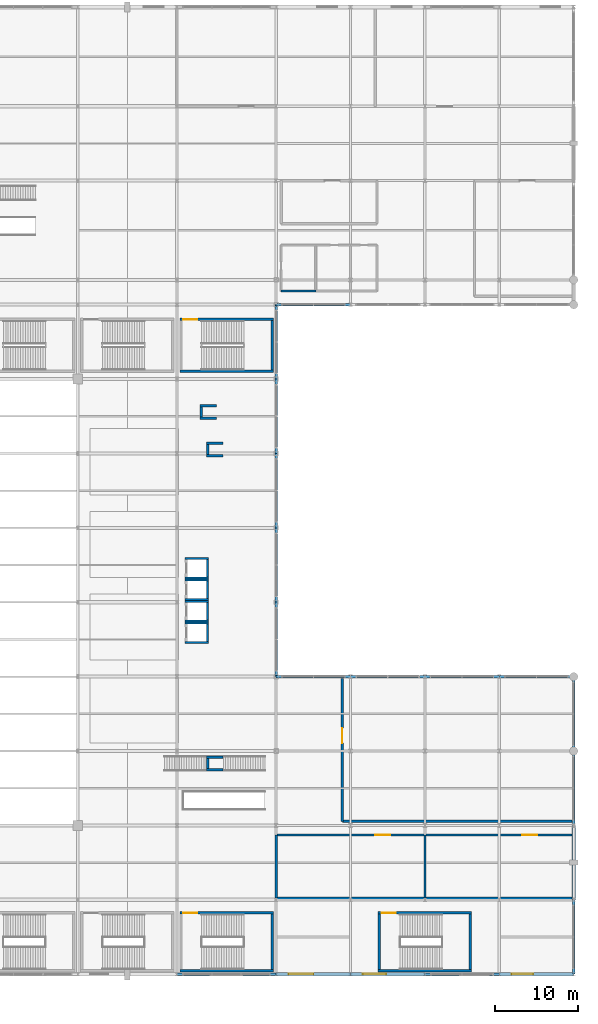
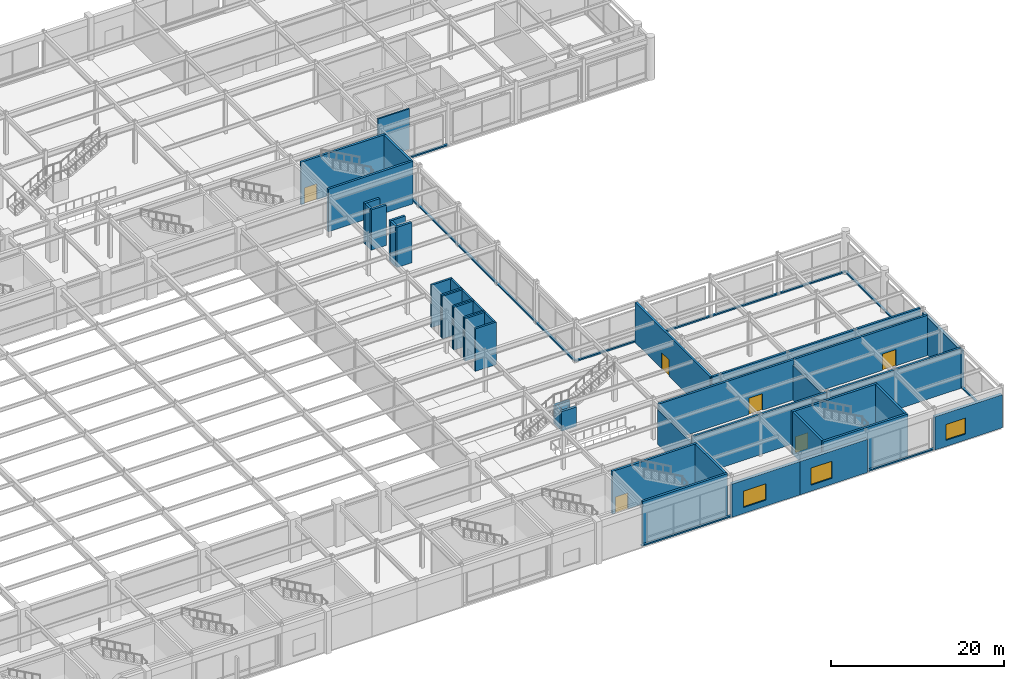
# One storey, part 90 of 105: 59 walls, 6 doors, 3 windows, 9 openings.
"""IFC4 building model written with IfcOpenShell, lengths in metres."""

import ifcopenshell
import ifcopenshell.guid

model = None  # the IFC model being written
_history = None  # IfcOwnerHistory: only IFC2X3 demands one
_inside = {}  # id of a spatial element -> (the spatial element, [elements in it])
_under = {}  # id of a project, library or spatial element -> (it, [spatial elements below it])
_declared = {}  # id of a project -> (the project, [libraries it declares])
_typed = {}  # id of a type object -> (the type object, [elements of that type])
_made_of = {}  # id of a material, layer set ... -> (it, [elements and type objects made of it])


def new_model(schema):
    """Start an empty IFC model of exactly this schema.

    Asked for "IFC4X3", IfcOpenShell would pick the latest addendum, in which some entities
    have other attributes; the version numbers below select the first issue.
    IFC2X3 requires an IfcOwnerHistory on every rooted entity: one is made here for all.
    """
    global model, _history
    if schema == "IFC4X3":
        model = ifcopenshell.file(schema_version=(4, 3, 0, 0))
    else:
        model = ifcopenshell.file(schema=schema)
    _inside.clear()
    _under.clear()
    _declared.clear()
    _typed.clear()
    _made_of.clear()
    _history = None
    if model.schema == "IFC2X3":
        org = make("IfcOrganization", Name="unknown")
        user = make(
            "IfcPersonAndOrganization",
            ThePerson=make("IfcPerson", FamilyName="unknown"),
            TheOrganization=org,
        )
        app = make(
            "IfcApplication",
            ApplicationDeveloper=org,
            Version="unknown",
            ApplicationFullName="unknown",
            ApplicationIdentifier="unknown",
        )
        _history = make(
            "IfcOwnerHistory",
            OwningUser=user,
            OwningApplication=app,
            ChangeAction="ADDED",
            CreationDate=0,
        )
    return model


def make(cls, **values):
    """One entity of the class cls with the attributes given. An attribute that is None is left unset."""
    return model.create_entity(
        cls, **{name: value for name, value in values.items() if value is not None}
    )


def rooted(cls, **values):
    """An entity with a GlobalId (a new one), such as an element, a storey or a relation."""
    return make(cls, GlobalId=ifcopenshell.guid.new(), OwnerHistory=_history, **values)


def si_unit(unit_type, name, prefix=None):
    """IfcSIUnit, for example si_unit("LENGTHUNIT", "METRE", prefix="MILLI")."""
    return make("IfcSIUnit", UnitType=unit_type, Prefix=prefix, Name=name)


def assignment(units):
    """IfcUnitAssignment: the units of a project."""
    return None if units is None else make("IfcUnitAssignment", Units=units)


def point(xyz):
    """IfcCartesianPoint."""
    return None if xyz is None else make("IfcCartesianPoint", Coordinates=xyz)


def direction(xyz):
    """IfcDirection."""
    return None if xyz is None else make("IfcDirection", DirectionRatios=xyz)


def frame(location, z_axis=None, x_axis=None):
    """IfcAxis2Placement3D, a coordinate frame: its origin and axes. An axis left out is left unset."""
    return make(
        "IfcAxis2Placement3D",
        Location=point(location),
        Axis=direction(z_axis),
        RefDirection=direction(x_axis),
    )


def frame_2d(location, x_axis=None):
    """IfcAxis2Placement2D, a coordinate frame in the plane: its origin and x axis."""
    return make(
        "IfcAxis2Placement2D", Location=point(location), RefDirection=direction(x_axis)
    )


def origin():
    """The frame at (0, 0, 0) with its axes left unset."""
    return frame((0.0, 0.0, 0.0))


def place(relative_to, where):
    """IfcLocalPlacement: puts the frame where relative to a parent placement (None: the world)."""
    return make(
        "IfcLocalPlacement", PlacementRelTo=relative_to, RelativePlacement=where
    )


def context(
    kind, dimensions, precision=None, world=None, true_north=None, identifier=None
):
    """IfcGeometricRepresentationContext, for example the 3D "Model" context."""
    return make(
        "IfcGeometricRepresentationContext",
        ContextIdentifier=identifier,
        ContextType=kind,
        CoordinateSpaceDimension=dimensions,
        Precision=precision,
        WorldCoordinateSystem=world,
        TrueNorth=true_north,
    )


def subcontext(parent, identifier, kind, view, scale=None):
    """IfcGeometricRepresentationSubContext, for example "Body" below "Model"."""
    return make(
        "IfcGeometricRepresentationSubContext",
        ContextIdentifier=identifier,
        ContextType=kind,
        ParentContext=parent,
        TargetScale=scale,
        TargetView=view,
    )


def project(units=None, contexts=None):
    """IfcProject with its units and contexts."""
    return rooted(
        "IfcProject",
        Name="project",
        RepresentationContexts=contexts,
        UnitsInContext=assignment(units),
    )


def spatial(cls, under=None, at=None, **own):
    """A site, building, storey or space (cls), placed at a placement, below another one or the project."""
    s = rooted(cls, ObjectPlacement=at, **own)
    if under is not None:
        _under.setdefault(under.id(), (under, []))[1].append(s)
    return s


def profile(cls, at=None, kind="AREA", **sizes):
    """A parametric profile (cls). Its sizes go by their IFC names, for example OverallWidth=200.0."""
    return make(cls, ProfileType=kind, Position=at, **sizes)


def rectangle(**sizes):
    """IfcRectangleProfileDef."""
    return profile("IfcRectangleProfileDef", **sizes)


def extrude(swept, where, along, depth):
    """IfcExtrudedAreaSolid: the profile swept, set in the frame where, extruded along a direction by depth."""
    return make(
        "IfcExtrudedAreaSolid",
        SweptArea=swept,
        Position=where,
        ExtrudedDirection=direction(along),
        Depth=depth,
    )


def shape(context_of_items, identifier, shape_type, items):
    """IfcShapeRepresentation: the items that make up one representation, for example the "Body"."""
    return make(
        "IfcShapeRepresentation",
        ContextOfItems=context_of_items,
        RepresentationIdentifier=identifier,
        RepresentationType=shape_type,
        Items=items,
    )


def material(Name=None, Category=None):
    """IfcMaterial."""
    return make("IfcMaterial", Name=Name, Category=Category)


def layer(
    of_material, thickness, ventilated=None, Name=None, Category=None, Priority=None
):
    """IfcMaterialLayer: one layer of a wall or slab, of a material (None: an air gap)."""
    return make(
        "IfcMaterialLayer",
        Material=of_material,
        LayerThickness=thickness,
        IsVentilated=ventilated,
        Name=Name,
        Category=Category,
        Priority=Priority,
    )


def layer_set(layers, Name=None):
    """IfcMaterialLayerSet."""
    return make("IfcMaterialLayerSet", MaterialLayers=layers, LayerSetName=Name)


def made_of(thing, what):
    """Note that an element or type object is made of a material, layer set ...; save() writes the relation."""
    if what is not None:
        _made_of.setdefault(what.id(), (what, []))[1].append(thing)
    return thing


def type_object(cls, material=None, **own):
    """A type object (cls), such as IfcWallType, which elements share."""
    return made_of(rooted(cls, **own), material)


def element(
    cls,
    number,
    at=None,
    inside=None,
    cuts=None,
    type_object=None,
    material=None,
    context=None,
    identifier="Body",
    shape_type=None,
    held_by="IfcProductDefinitionShape",
    body=None,
    shapes=None,
    **own,
):
    """One element of the class cls, such as IfcWall. Its Tag is "e" and its number.

    at: its placement. inside: the storey or other place that contains it. cuts: it is an
    opening in that element (IfcRelVoidsElement). A single representation is given by context,
    identifier, shape_type and body (its items); several are given by shapes. held_by: the class
    of the entity that holds the representations. save() writes the other relations.
    """
    e = rooted(cls, Tag="e%d" % number, ObjectPlacement=at, **own)
    if body is not None:
        shapes = [shape(context, identifier, shape_type, body)]
    if shapes is not None:
        e.Representation = make(held_by, Representations=shapes)
    if inside is not None:
        _inside.setdefault(inside.id(), (inside, []))[1].append(e)
    if cuts is not None:
        rooted(
            "IfcRelVoidsElement", RelatingBuildingElement=cuts, RelatedOpeningElement=e
        )
    if type_object is not None:
        _typed.setdefault(type_object.id(), (type_object, []))[1].append(e)
    return made_of(e, material)


def fill(opening, filler):
    """IfcRelFillsElement: the door or window that sits in an opening."""
    return rooted(
        "IfcRelFillsElement",
        RelatingOpeningElement=opening,
        RelatedBuildingElement=filler,
    )


def aggregate(whole, parts):
    """IfcRelAggregates: a whole, such as a stair, and the parts it consists of."""
    return rooted("IfcRelAggregates", RelatingObject=whole, RelatedObjects=parts)


def save(model, path):
    """Write the relations noted so far, then the file.

    IfcRelAggregates (storeys below a building ...), IfcRelContainedInSpatialStructure (elements
    in a storey), IfcRelDefinesByType, IfcRelAssociatesMaterial and IfcRelDeclares: one each for
    every whole, place, type object, material and project.
    """
    for whole, parts in _under.values():
        aggregate(whole, parts)
    for where, things in _inside.values():
        rooted(
            "IfcRelContainedInSpatialStructure",
            RelatedElements=things,
            RelatingStructure=where,
        )
    for kind, things in _typed.values():
        rooted("IfcRelDefinesByType", RelatedObjects=things, RelatingType=kind)
    for what, things in _made_of.values():
        rooted("IfcRelAssociatesMaterial", RelatedObjects=things, RelatingMaterial=what)
    for by, libraries in _declared.values():
        rooted("IfcRelDeclares", RelatingContext=by, RelatedDefinitions=libraries)
    model.write(path)


model = new_model("IFC4")

# Units and contexts
model_context = context("Model", 3, precision=1e-05, world=origin(), true_north=direction((0.0, 1.0)))
body_context = subcontext(model_context, "Body", "Model", "MODEL_VIEW")
ifc_project = project(units=[si_unit("LENGTHUNIT", "METRE"), si_unit("AREAUNIT", "SQUARE_METRE"), si_unit("VOLUMEUNIT", "CUBIC_METRE"), si_unit("PLANEANGLEUNIT", "RADIAN"), si_unit("MASSUNIT", "GRAM", prefix="KILO")], contexts=[model_context])

# Site, building, storey
site_placement = place(None, origin())
site = spatial("IfcSite", under=ifc_project, at=site_placement, CompositionType="ELEMENT")
building_placement = place(site_placement, origin())
building = spatial("IfcBuilding", under=site, at=building_placement, Name="Kaldorvane Square Convention Centre", CompositionType="ELEMENT")
storey_placement = place(building_placement, frame((0.0, 0.0, 6.0)))
storey = spatial("IfcBuildingStorey", under=building, at=storey_placement, Name="L01", CompositionType="ELEMENT", Elevation=6.0)

# Walls
ifc_material_1 = material(Name="Reinforced Concrete Masonry Acoustic Partition", Category="masonry")
ifc_layer_1 = layer(ifc_material_1, 0.279998779296875)
ifc_layer_set_1 = layer_set([ifc_layer_1], Name="Reinforced Concrete Masonry Acoustic Partition")
wall_type_1 = type_object("IfcWallType", Name="WL-ACO-280", PredefinedType="PARTITIONING", material=ifc_layer_set_1)
wall_1_placement = place(storey_placement, frame((138.0, 9.199996948242188, 0.0), z_axis=(0.0, 0.0, 1.0), x_axis=(1.0, 0.0, 0.0)))
element("IfcWall", 1, at=wall_1_placement, inside=storey, type_object=wall_type_1, Name="Meeting Room 101 S Wall", PredefinedType="PARTITIONING", context=body_context, shape_type="SweptSolid", body=[
    extrude(rectangle(XDim=18.0, YDim=0.279998779296875, at=frame_2d((9.0, 0.0))), origin(), (0.0, 0.0, 1.0), 5.67999267578125),
])
wall_2_placement = place(storey_placement, frame((156.0, 9.199996948242188, 0.0), z_axis=(0.0, 0.0, 1.0), x_axis=(0.0, 1.0, 0.0)))
element("IfcWall", 2, at=wall_2_placement, inside=storey, type_object=wall_type_1, Name="Meeting Room 101 E Wall", PredefinedType="PARTITIONING", context=body_context, shape_type="SweptSolid", body=[
    extrude(rectangle(XDim=7.6500091552734375, YDim=0.279998779296875, at=frame_2d((3.82501220703125, 0.0))), origin(), (0.0, 0.0, 1.0), 4.912994384765625),
])

# Wall, opening, door
wall_3_placement = place(storey_placement, frame((156.0, 16.850006103515625, 0.0), z_axis=(0.0, 0.0, 1.0), x_axis=(-1.0, 0.0, 0.0)))
wall_3 = element("IfcWall", 3, at=wall_3_placement, inside=storey, type_object=wall_type_1, Name="Meeting Room 101 N Wall", PredefinedType="PARTITIONING", context=body_context, shape_type="SweptSolid", body=[
    extrude(rectangle(XDim=18.0, YDim=0.279998779296875, at=frame_2d((9.0, 0.0))), origin(), (0.0, 0.0, 1.0), 5.67999267578125),
])
opening_1_placement = place(wall_3_placement, frame((4.1999969482421875, 0.0, 0.0)))
opening_1 = element("IfcOpeningElement", 4, at=opening_1_placement, cuts=wall_3, Name="Opening ID-06", PredefinedType="OPENING", context=body_context, shape_type="SweptSolid", body=[
    extrude(rectangle(XDim=1.8000030517578125, YDim=2.3000030517578125, at=frame_2d((0.899993896484375, 1.149993896484375))), frame((0.0, 0.154998779296875, 0.0), z_axis=(0.0, -1.0, 0.0), x_axis=(1.0, 0.0, 0.0)), (0.0, 0.0, 1.0), 0.30999755859375),
])
ifc_material_2 = material(Name="Architectural Solid-Core White Oak")
door_type_1 = type_object("IfcDoorType", Name="DR-MEET-1800X2300", OperationType="DOUBLE_DOOR_SINGLE_SWING", PredefinedType="DOOR", material=ifc_material_2)
door_1_placement = place(opening_1_placement, origin())
door_1 = element("IfcDoor", 5, at=door_1_placement, inside=storey, type_object=door_type_1, Name="Meeting Room 101 Door 1", OperationType="DOUBLE_DOOR_SINGLE_SWING", OverallHeight=2.3000030517578125, OverallWidth=1.8000030517578125, PredefinedType="DOOR", context=body_context, shape_type="SweptSolid", body=[
    extrude(rectangle(XDim=1.8000030517578125, YDim=2.3000030517578125, at=frame_2d((0.899993896484375, 1.149993896484375))), frame((0.0, 0.024993896484375, 0.0), z_axis=(0.0, -1.0, 0.0), x_axis=(1.0, 0.0, 0.0)), (0.0, 0.0, 1.0), 0.0500030517578125),
])
fill(opening_1, door_1)

# Walls
wall_4_placement = place(storey_placement, frame((138.0, 16.850006103515625, 0.0), z_axis=(0.0, 0.0, 1.0), x_axis=(0.0, -1.0, 0.0)))
element("IfcWall", 6, at=wall_4_placement, inside=storey, type_object=wall_type_1, Name="Meeting Room 101 W Wall", PredefinedType="PARTITIONING", context=body_context, shape_type="SweptSolid", body=[
    extrude(rectangle(XDim=7.6500091552734375, YDim=0.279998779296875, at=frame_2d((3.82501220703125, 0.0))), origin(), (0.0, 0.0, 1.0), 4.912994384765625),
])
wall_5_placement = place(storey_placement, frame((156.0, 9.199996948242188, 0.0), z_axis=(0.0, 0.0, 1.0), x_axis=(1.0, 0.0, 0.0)))
element("IfcWall", 7, at=wall_5_placement, inside=storey, type_object=wall_type_1, Name="Meeting Room 102 S Wall", PredefinedType="PARTITIONING", context=body_context, shape_type="SweptSolid", body=[
    extrude(rectangle(XDim=17.794998168945312, YDim=0.279998779296875, at=frame_2d((8.897491455078125, 0.0))), origin(), (0.0, 0.0, 1.0), 5.67999267578125),
])

# Wall, opening, door
wall_6_placement = place(storey_placement, frame((173.7949981689453, 16.850006103515625, 0.0), z_axis=(0.0, 0.0, 1.0), x_axis=(-1.0, 0.0, 0.0)))
wall_6 = element("IfcWall", 8, at=wall_6_placement, inside=storey, type_object=wall_type_1, Name="Meeting Room 102 N Wall", PredefinedType="PARTITIONING", context=body_context, shape_type="SweptSolid", body=[
    extrude(rectangle(XDim=17.794998168945312, YDim=0.279998779296875, at=frame_2d((8.897491455078125, 0.0))), origin(), (0.0, 0.0, 1.0), 5.67999267578125),
])
opening_2_placement = place(wall_6_placement, frame((4.1999969482421875, 0.0, 0.0)))
opening_2 = element("IfcOpeningElement", 9, at=opening_2_placement, cuts=wall_6, Name="Opening ID-06", PredefinedType="OPENING", context=body_context, shape_type="SweptSolid", body=[
    extrude(rectangle(XDim=1.8000030517578125, YDim=2.3000030517578125, at=frame_2d((0.899993896484375, 1.149993896484375))), frame((0.0, 0.154998779296875, 0.0), z_axis=(0.0, -1.0, 0.0), x_axis=(1.0, 0.0, 0.0)), (0.0, 0.0, 1.0), 0.30999755859375),
])
door_2_placement = place(opening_2_placement, origin())
door_2 = element("IfcDoor", 10, at=door_2_placement, inside=storey, type_object=door_type_1, Name="Meeting Room 102 Door 1", OperationType="DOUBLE_DOOR_SINGLE_SWING", OverallHeight=2.3000030517578125, OverallWidth=1.8000030517578125, PredefinedType="DOOR", context=body_context, shape_type="SweptSolid", body=[
    extrude(rectangle(XDim=1.8000030517578125, YDim=2.3000030517578125, at=frame_2d((0.899993896484375, 1.149993896484375))), frame((0.0, 0.024993896484375, 0.0), z_axis=(0.0, -1.0, 0.0), x_axis=(1.0, 0.0, 0.0)), (0.0, 0.0, 1.0), 0.0500030517578125),
])
fill(opening_2, door_2)

# Wall
wall_7_placement = place(storey_placement, frame((146.0, 18.5, 0.0), z_axis=(0.0, 0.0, 1.0), x_axis=(1.0, 0.0, 0.0)))
element("IfcWall", 11, at=wall_7_placement, inside=storey, type_object=wall_type_1, Name="Meeting Room 103 S Wall", PredefinedType="PARTITIONING", context=body_context, shape_type="SweptSolid", body=[
    extrude(rectangle(XDim=27.794998168945312, YDim=0.279998779296875, at=frame_2d((13.897491455078125, 0.0))), origin(), (0.0, 0.0, 1.0), 5.67999267578125),
])

# Wall, opening, door
wall_8_placement = place(storey_placement, frame((146.0, 35.80000305175781, 0.0), z_axis=(0.0, 0.0, 1.0), x_axis=(0.0, -1.0, 0.0)))
wall_8 = element("IfcWall", 12, at=wall_8_placement, inside=storey, type_object=wall_type_1, Name="Meeting Room 103 W Wall", PredefinedType="PARTITIONING", context=body_context, shape_type="SweptSolid", body=[
    extrude(rectangle(XDim=17.300003051757812, YDim=0.279998779296875, at=frame_2d((8.649993896484375, 0.0))), origin(), (0.0, 0.0, 1.0), 5.67999267578125),
])
opening_3_placement = place(wall_8_placement, frame((6.029998779296875, 0.0, 0.0)))
opening_3 = element("IfcOpeningElement", 13, at=opening_3_placement, cuts=wall_8, Name="Opening ID-06", PredefinedType="OPENING", context=body_context, shape_type="SweptSolid", body=[
    extrude(rectangle(XDim=1.8000030517578125, YDim=2.3000030517578125, at=frame_2d((0.899993896484375, 1.149993896484375))), frame((0.0, 0.154998779296875, 0.0), z_axis=(0.0, -1.0, 0.0), x_axis=(1.0, 0.0, 0.0)), (0.0, 0.0, 1.0), 0.30999755859375),
])
door_3_placement = place(opening_3_placement, origin())
door_3 = element("IfcDoor", 14, at=door_3_placement, inside=storey, type_object=door_type_1, Name="Meeting Room 103 Door 1", OperationType="DOUBLE_DOOR_SINGLE_SWING", OverallHeight=2.3000030517578125, OverallWidth=1.8000030517578125, PredefinedType="DOOR", context=body_context, shape_type="SweptSolid", body=[
    extrude(rectangle(XDim=1.8000030517578125, YDim=2.3000030517578125, at=frame_2d((0.899993896484375, 1.149993896484375))), frame((0.0, 0.024993896484375, 0.0), z_axis=(0.0, -1.0, 0.0), x_axis=(1.0, 0.0, 0.0)), (0.0, 0.0, 1.0), 0.0500030517578125),
])
fill(opening_3, door_3)

# Wall
ifc_material_3 = material(Name="Fire-Rated Gypsum Board on Acoustic Steel Studs", Category="steel")
ifc_layer_2 = layer(ifc_material_3, 0.1999969482421875)
ifc_layer_set_2 = layer_set([ifc_layer_2], Name="Fire-Rated Gypsum Board on Acoustic Steel Studs")
wall_type_2 = type_object("IfcWallType", Name="WL-CORR-200", PredefinedType="PARTITIONING", material=ifc_layer_set_2)
wall_9_placement = place(storey_placement, frame((138.60000610351562, 82.64999389648438, 0.0), z_axis=(0.0, 0.0, 1.0), x_axis=(1.0, 0.0, 0.0)))
element("IfcWall", 15, at=wall_9_placement, inside=storey, type_object=wall_type_2, Name="East Concourse Men's Restroom (L01) S Wall", PredefinedType="PARTITIONING", context=body_context, shape_type="SweptSolid", body=[
    extrude(rectangle(XDim=4.1999969482421875, YDim=0.1999969482421875, at=frame_2d((2.100006103515625, 0.0))), origin(), (0.0, 0.0, 1.0), 5.67999267578125),
])

# Wall, opening, window
ifc_material_4 = material(Name="Concrete f'c = 42 MPa (Normalweight)", Category="concrete")
ifc_layer_3 = layer(ifc_material_4, 0.410003662109375)
ifc_layer_set_3 = layer_set([ifc_layer_3], Name="Concrete f'c = 42 MPa (Normalweight)")
wall_type_3 = type_object("IfcWallType", Name="WL-EXT-410", PredefinedType="STANDARD", material=ifc_layer_set_3)
wall_10_placement = place(storey_placement, frame((138.0, 0.0, 0.0), z_axis=(0.0, 0.0, 1.0), x_axis=(1.0, 0.0, 0.0)))
wall_10 = element("IfcWall", 16, at=wall_10_placement, inside=storey, type_object=wall_type_3, Name="South Square Brutalist Facade Wall (L01)", PredefinedType="STANDARD", context=body_context, shape_type="SweptSolid", body=[
    extrude(rectangle(XDim=9.0, YDim=0.410003662109375, at=frame_2d((4.5, 0.0))), origin(), (0.0, 0.0, 1.0), 4.675994873046875),
])
opening_4_placement = place(wall_10_placement, frame((1.5, 0.0, 0.850006103515625)))
opening_4 = element("IfcOpeningElement", 17, at=opening_4_placement, cuts=wall_10, Name="Opening W-16", PredefinedType="OPENING", context=body_context, shape_type="SweptSolid", body=[
    extrude(rectangle(XDim=3.0, YDim=2.3000030517578125, at=frame_2d((1.5, 1.149993896484375))), frame((0.0, 0.220001220703125, 0.0), z_axis=(0.0, -1.0, 0.0), x_axis=(1.0, 0.0, 0.0)), (0.0, 0.0, 1.0), 0.44000244140625),
])
ifc_material_5 = material(Name="Anodized Aluminum and Low-E Insulated Glazing", Category="aluminium")
window_type_1 = type_object("IfcWindowType", Name="WN-POD-3000X2300", PartitioningType="TRIPLE_PANEL_VERTICAL", PredefinedType="WINDOW", material=ifc_material_5)
window_1_placement = place(opening_4_placement, origin())
window_1 = element("IfcWindow", 18, at=window_1_placement, inside=storey, type_object=window_type_1, Name="South Facade Window (L01)", OverallHeight=2.3000030517578125, OverallWidth=3.0, PartitioningType="TRIPLE_PANEL_VERTICAL", PredefinedType="WINDOW", context=body_context, shape_type="SweptSolid", body=[
    extrude(rectangle(XDim=3.0, YDim=2.3000030517578125, at=frame_2d((1.5, 1.149993896484375))), frame((0.0, 0.029998779296875, 0.0), z_axis=(0.0, -1.0, 0.0), x_axis=(1.0, 0.0, 0.0)), (0.0, 0.0, 1.0), 0.05999755859375),
])
fill(opening_4, window_1)

wall_11_placement = place(storey_placement, frame((147.0, 0.0, 0.0), z_axis=(0.0, 0.0, 1.0), x_axis=(1.0, 0.0, 0.0)))
wall_11 = element("IfcWall", 19, at=wall_11_placement, inside=storey, type_object=wall_type_3, Name="South Square Brutalist Facade Wall (L01)", PredefinedType="STANDARD", context=body_context, shape_type="SweptSolid", body=[
    extrude(rectangle(XDim=9.0, YDim=0.410003662109375, at=frame_2d((4.5, 0.0))), origin(), (0.0, 0.0, 1.0), 4.675994873046875),
])
opening_5_placement = place(wall_11_placement, frame((1.5, 0.0, 0.850006103515625)))
opening_5 = element("IfcOpeningElement", 20, at=opening_5_placement, cuts=wall_11, Name="Opening W-17", PredefinedType="OPENING", context=body_context, shape_type="SweptSolid", body=[
    extrude(rectangle(XDim=2.8000030517578125, YDim=2.399993896484375, at=frame_2d((1.399993896484375, 1.1999969482421875))), frame((0.0, 0.220001220703125, 0.0), z_axis=(0.0, -1.0, 0.0), x_axis=(1.0, 0.0, 0.0)), (0.0, 0.0, 1.0), 0.44000244140625),
])
window_type_2 = type_object("IfcWindowType", Name="WN-POD-2800X2400", PartitioningType="DOUBLE_PANEL_VERTICAL", PredefinedType="WINDOW", material=ifc_material_5)
window_2_placement = place(opening_5_placement, origin())
window_2 = element("IfcWindow", 21, at=window_2_placement, inside=storey, type_object=window_type_2, Name="South Facade Window (L01)", OverallHeight=2.399993896484375, OverallWidth=2.8000030517578125, PartitioningType="DOUBLE_PANEL_VERTICAL", PredefinedType="WINDOW", context=body_context, shape_type="SweptSolid", body=[
    extrude(rectangle(XDim=2.8000030517578125, YDim=2.399993896484375, at=frame_2d((1.399993896484375, 1.1999969482421875))), frame((0.0, 0.029998779296875, 0.0), z_axis=(0.0, -1.0, 0.0), x_axis=(1.0, 0.0, 0.0)), (0.0, 0.0, 1.0), 0.05999755859375),
])
fill(opening_5, window_2)

wall_12_placement = place(storey_placement, frame((165.0, 0.0, 0.0), z_axis=(0.0, 0.0, 1.0), x_axis=(1.0, 0.0, 0.0)))
wall_12 = element("IfcWall", 22, at=wall_12_placement, inside=storey, type_object=wall_type_3, Name="South Square Brutalist Facade Wall (L01)", PredefinedType="STANDARD", context=body_context, shape_type="SweptSolid", body=[
    extrude(rectangle(XDim=9.0, YDim=0.410003662109375, at=frame_2d((4.5, 0.0))), origin(), (0.0, 0.0, 1.0), 4.675994873046875),
])
opening_6_placement = place(wall_12_placement, frame((1.5, 0.0, 0.850006103515625)))
opening_6 = element("IfcOpeningElement", 23, at=opening_6_placement, cuts=wall_12, Name="Opening W-18", PredefinedType="OPENING", context=body_context, shape_type="SweptSolid", body=[
    extrude(rectangle(XDim=2.600006103515625, YDim=2.25, at=frame_2d((1.3000030517578125, 1.125))), frame((0.0, 0.220001220703125, 0.0), z_axis=(0.0, -1.0, 0.0), x_axis=(1.0, 0.0, 0.0)), (0.0, 0.0, 1.0), 0.44000244140625),
])
window_type_3 = type_object("IfcWindowType", Name="WN-POD-2600X2250", PartitioningType="DOUBLE_PANEL_VERTICAL", PredefinedType="WINDOW", material=ifc_material_5)
window_3_placement = place(opening_6_placement, origin())
window_3 = element("IfcWindow", 24, at=window_3_placement, inside=storey, type_object=window_type_3, Name="South Facade Window (L01)", OverallHeight=2.25, OverallWidth=2.600006103515625, PartitioningType="DOUBLE_PANEL_VERTICAL", PredefinedType="WINDOW", context=body_context, shape_type="SweptSolid", body=[
    extrude(rectangle(XDim=2.600006103515625, YDim=2.25, at=frame_2d((1.3000030517578125, 1.125))), frame((0.0, 0.029998779296875, 0.0), z_axis=(0.0, -1.0, 0.0), x_axis=(1.0, 0.0, 0.0)), (0.0, 0.0, 1.0), 0.05999755859375),
])
fill(opening_6, window_3)

# Walls
wall_13_placement = place(storey_placement, frame((174.0, 9.0, 0.0), z_axis=(0.0, 0.0, 1.0), x_axis=(0.0, 1.0, 0.0)))
element("IfcWall", 25, at=wall_13_placement, inside=storey, type_object=wall_type_3, Name="East Square Brutalist Wing Wall (L01)", PredefinedType="STANDARD", context=body_context, shape_type="SweptSolid", body=[
    extrude(rectangle(XDim=9.0, YDim=0.410003662109375, at=frame_2d((4.5, 0.0))), origin(), (0.0, 0.0, 1.0), 5.2689971923828125),
])
ifc_material_6 = material(Name="Concrete f'c = 35 MPa (Normalweight)", Category="concrete")
ifc_layer_4 = layer(ifc_material_6, 0.279998779296875)
ifc_layer_set_4 = layer_set([ifc_layer_4], Name="Concrete f'c = 35 MPa (Normalweight)")
wall_type_4 = type_object("IfcWallType", Name="WL-PAR-280", PredefinedType="PARAPET", material=ifc_layer_set_4)
wall_14_placement = place(storey_placement, frame((126.0, 0.0, 0.0), z_axis=(0.0, 0.0, 1.0), x_axis=(1.0, 0.0, 0.0)))
element("IfcWall", 26, at=wall_14_placement, inside=storey, type_object=wall_type_4, Name="Curtain-Wall Sill Kerb (L01)", PredefinedType="PARAPET", context=body_context, shape_type="SweptSolid", body=[
    extrude(rectangle(XDim=12.0, YDim=0.279998779296875, at=frame_2d((6.0, 0.0))), origin(), (0.0, 0.0, 1.0), 0.1999969482421875),
])
for number, where, z_axis, x_axis, name in (
    (27, (156.0, 0.0, 0.0), (0.0, 0.0, 1.0), (1.0, 0.0, 0.0), "Curtain-Wall Sill Kerb (L01)"),
    (28, (174.0, 0.0, 0.0), (0.0, 0.0, 1.0), (0.0, 1.0, 0.0), "East Curtain-Wall Sill Kerb (L01)"),
    (29, (174.0, 18.0, 0.0), (0.0, 0.0, 1.0), (0.0, 1.0, 0.0), "East Curtain-Wall Sill Kerb (L01)"),
    (30, (174.0, 27.0, 0.0), (0.0, 0.0, 1.0), (0.0, 1.0, 0.0), "East Curtain-Wall Sill Kerb (L01)"),
    (31, (147.0, 36.0, 0.0), (0.0, 0.0, 1.0), (-1.0, 0.0, 0.0), "Forecourt Glazing Sill (L01)"),
    (32, (156.0, 36.0, 0.0), (0.0, 0.0, 1.0), (-1.0, 0.0, 0.0), "Forecourt Glazing Sill (L01)"),
    (33, (165.0, 36.0, 0.0), (0.0, 0.0, 1.0), (-1.0, 0.0, 0.0), "Forecourt Glazing Sill (L01)"),
    (34, (174.0, 36.0, 0.0), (0.0, 0.0, 1.0), (-1.0, 0.0, 0.0), "Forecourt Glazing Sill (L01)"),
    (35, (138.0, 36.0, 0.0), (0.0, 0.0, 1.0), (0.0, 1.0, 0.0), "Forecourt Glazing Sill (L01)"),
    (36, (138.0, 45.0, 0.0), (0.0, 0.0, 1.0), (0.0, 1.0, 0.0), "Forecourt Glazing Sill (L01)"),
    (37, (138.0, 54.0, 0.0), (0.0, 0.0, 1.0), (0.0, 1.0, 0.0), "Forecourt Glazing Sill (L01)"),
    (38, (138.0, 63.0, 0.0), (0.0, 0.0, 1.0), (0.0, 1.0, 0.0), "Forecourt Glazing Sill (L01)"),
    (39, (138.0, 72.0, 0.0), (0.0, 0.0, 1.0), (0.0, 1.0, 0.0), "Forecourt Glazing Sill (L01)"),
    (40, (138.0, 81.0, 0.0), (0.0, 0.0, 1.0), (1.0, 0.0, 0.0), "Forecourt Glazing Sill (L01)"),
):
    element("IfcWall", number, at=place(storey_placement, frame(where, z_axis=z_axis, x_axis=x_axis)), inside=storey, type_object=wall_type_4, Name=name, PredefinedType="PARAPET", context=body_context, shape_type="SweptSolid", body=[
        extrude(rectangle(XDim=9.0, YDim=0.279998779296875, at=frame_2d((4.5, 0.0))), origin(), (0.0, 0.0, 1.0), 0.1999969482421875),
    ])
ifc_material_7 = material(Name="Concrete f'c = 55 MPa (Normalweight)", Category="concrete")
ifc_layer_5 = layer(ifc_material_7, 0.3000030517578125)
ifc_layer_set_5 = layer_set([ifc_layer_5], Name="Concrete f'c = 55 MPa (Normalweight)")
wall_type_5 = type_object("IfcWallType", Name="WL-SHAFT-300", PredefinedType="SHEAR", material=ifc_layer_set_5)
wall_15_placement = place(storey_placement, frame((137.66000366210938, 0.399993896484375, 0.0), z_axis=(0.0, 0.0, 1.0), x_axis=(-1.0, 0.0, 0.0)))
element("IfcWall", 41, at=wall_15_placement, inside=storey, type_object=wall_type_5, Name="Core Enclosure Wall stair:ST-C10-S (L01)", PredefinedType="SHEAR", context=body_context, shape_type="SweptSolid", body=[
    extrude(rectangle(XDim=11.32000732421875, YDim=0.3000030517578125, at=frame_2d((5.660003662109375, 0.0))), origin(), (0.0, 0.0, 1.0), 6.0),
])

# Wall, opening, door
wall_16_placement = place(storey_placement, frame((137.66000366210938, 7.410003662109375, 0.0), z_axis=(0.0, 0.0, 1.0), x_axis=(-1.0, 0.0, 0.0)))
wall_16 = element("IfcWall", 42, at=wall_16_placement, inside=storey, type_object=wall_type_5, Name="Core Enclosure Wall stair:ST-C10-N (L01)", PredefinedType="SHEAR", context=body_context, shape_type="SweptSolid", body=[
    extrude(rectangle(XDim=11.32000732421875, YDim=0.3000030517578125, at=frame_2d((5.660003662109375, 0.0))), origin(), (0.0, 0.0, 1.0), 6.0),
])
opening_7_placement = place(wall_16_placement, frame((9.220001220703125, 0.0, 0.0)))
opening_7 = element("IfcOpeningElement", 43, at=opening_7_placement, cuts=wall_16, Name="Opening FD90-S2", PredefinedType="OPENING", context=body_context, shape_type="SweptSolid", body=[
    extrude(rectangle(XDim=1.649993896484375, YDim=2.25, at=frame_2d((0.8249969482421875, 1.125))), frame((0.0, 0.165008544921875, 0.0), z_axis=(0.0, -1.0, 0.0), x_axis=(1.0, 0.0, 0.0)), (0.0, 0.0, 1.0), 0.3300018310546875),
])
ifc_material_8 = material(Name="Fire-Rated Hollow Metal Steel", Category="steel")
door_type_2 = type_object("IfcDoorType", Name="DR-STAIR-1650", OperationType="DOUBLE_DOOR_SINGLE_SWING", PredefinedType="DOOR", material=ifc_material_8)
door_4_placement = place(opening_7_placement, origin())
door_4 = element("IfcDoor", 44, at=door_4_placement, inside=storey, type_object=door_type_2, Name="Convention Exit Stair C10 Fire Door (L01)", OperationType="DOUBLE_DOOR_SINGLE_SWING", OverallHeight=2.25, OverallWidth=1.649993896484375, PredefinedType="DOOR", context=body_context, shape_type="SweptSolid", body=[
    extrude(rectangle(XDim=1.649993896484375, YDim=2.25, at=frame_2d((0.8249969482421875, 1.125))), frame((0.0, 0.024993896484375, 0.0), z_axis=(0.0, -1.0, 0.0), x_axis=(1.0, 0.0, 0.0)), (0.0, 0.0, 1.0), 0.0500030517578125),
])
fill(opening_7, door_4)

# Walls
wall_17_placement = place(storey_placement, frame((137.50999450683594, 0.5500030517578125, 0.0), z_axis=(0.0, 0.0, 1.0), x_axis=(0.0, 1.0, 0.0)))
element("IfcWall", 45, at=wall_17_placement, inside=storey, type_object=wall_type_5, Name="Core Enclosure Wall stair:ST-C10-E (L01)", PredefinedType="SHEAR", context=body_context, shape_type="SweptSolid", body=[
    extrude(rectangle(XDim=6.709991455078125, YDim=0.3000030517578125, at=frame_2d((3.3549957275390625, 0.0))), origin(), (0.0, 0.0, 1.0), 6.0),
])
wall_18_placement = place(storey_placement, frame((161.66000366210938, 0.399993896484375, 0.0), z_axis=(0.0, 0.0, 1.0), x_axis=(-1.0, 0.0, 0.0)))
element("IfcWall", 46, at=wall_18_placement, inside=storey, type_object=wall_type_5, Name="Core Enclosure Wall stair:ST-C11-S (L01)", PredefinedType="SHEAR", context=body_context, shape_type="SweptSolid", body=[
    extrude(rectangle(XDim=11.32000732421875, YDim=0.3000030517578125, at=frame_2d((5.660003662109375, 0.0))), origin(), (0.0, 0.0, 1.0), 6.0),
])

# Wall, opening, door
wall_19_placement = place(storey_placement, frame((161.66000366210938, 7.410003662109375, 0.0), z_axis=(0.0, 0.0, 1.0), x_axis=(-1.0, 0.0, 0.0)))
wall_19 = element("IfcWall", 47, at=wall_19_placement, inside=storey, type_object=wall_type_5, Name="Core Enclosure Wall stair:ST-C11-N (L01)", PredefinedType="SHEAR", context=body_context, shape_type="SweptSolid", body=[
    extrude(rectangle(XDim=11.32000732421875, YDim=0.3000030517578125, at=frame_2d((5.660003662109375, 0.0))), origin(), (0.0, 0.0, 1.0), 6.0),
])
opening_8_placement = place(wall_19_placement, frame((9.220001220703125, 0.0, 0.0)))
opening_8 = element("IfcOpeningElement", 48, at=opening_8_placement, cuts=wall_19, Name="Opening FD90-S2", PredefinedType="OPENING", context=body_context, shape_type="SweptSolid", body=[
    extrude(rectangle(XDim=1.649993896484375, YDim=2.25, at=frame_2d((0.8249969482421875, 1.125))), frame((0.0, 0.165008544921875, 0.0), z_axis=(0.0, -1.0, 0.0), x_axis=(1.0, 0.0, 0.0)), (0.0, 0.0, 1.0), 0.3300018310546875),
])
door_5_placement = place(opening_8_placement, origin())
door_5 = element("IfcDoor", 49, at=door_5_placement, inside=storey, type_object=door_type_2, Name="Convention Exit Stair C11 Fire Door (L01)", OperationType="DOUBLE_DOOR_SINGLE_SWING", OverallHeight=2.25, OverallWidth=1.649993896484375, PredefinedType="DOOR", context=body_context, shape_type="SweptSolid", body=[
    extrude(rectangle(XDim=1.649993896484375, YDim=2.25, at=frame_2d((0.8249969482421875, 1.125))), frame((0.0, 0.024993896484375, 0.0), z_axis=(0.0, -1.0, 0.0), x_axis=(1.0, 0.0, 0.0)), (0.0, 0.0, 1.0), 0.0500030517578125),
])
fill(opening_8, door_5)

# Walls
for number, where, z_axis, x_axis, name in (
    (50, (150.49000549316406, 7.2599945068359375, 0.0), (0.0, 0.0, 1.0), (0.0, -1.0, 0.0), "Core Enclosure Wall stair:ST-C11-W (L01)"),
    (51, (161.50999450683594, 0.5500030517578125, 0.0), (0.0, 0.0, 1.0), (0.0, 1.0, 0.0), "Core Enclosure Wall stair:ST-C11-E (L01)"),
):
    element("IfcWall", number, at=place(storey_placement, frame(where, z_axis=z_axis, x_axis=x_axis)), inside=storey, type_object=wall_type_5, Name=name, PredefinedType="SHEAR", context=body_context, shape_type="SweptSolid", body=[
        extrude(rectangle(XDim=6.709991455078125, YDim=0.3000030517578125, at=frame_2d((3.3549957275390625, 0.0))), origin(), (0.0, 0.0, 1.0), 6.0),
    ])
wall_20_placement = place(storey_placement, frame((126.33999633789062, 72.94999694824219, 0.0), z_axis=(0.0, 0.0, 1.0), x_axis=(1.0, 0.0, 0.0)))
element("IfcWall", 52, at=wall_20_placement, inside=storey, type_object=wall_type_5, Name="Core Enclosure Wall stair:ST-C18-S (L01)", PredefinedType="SHEAR", context=body_context, shape_type="SweptSolid", body=[
    extrude(rectangle(XDim=11.32000732421875, YDim=0.3000030517578125, at=frame_2d((5.660003662109375, 0.0))), origin(), (0.0, 0.0, 1.0), 6.0),
])

# Wall, opening, door
wall_21_placement = place(storey_placement, frame((137.66000366210938, 79.21000671386719, 0.0), z_axis=(0.0, 0.0, 1.0), x_axis=(-1.0, 0.0, 0.0)))
wall_21 = element("IfcWall", 53, at=wall_21_placement, inside=storey, type_object=wall_type_5, Name="Core Enclosure Wall stair:ST-C18-N (L01)", PredefinedType="SHEAR", context=body_context, shape_type="SweptSolid", body=[
    extrude(rectangle(XDim=11.32000732421875, YDim=0.3000030517578125, at=frame_2d((5.660003662109375, 0.0))), origin(), (0.0, 0.0, 1.0), 6.0),
])
opening_9_placement = place(wall_21_placement, frame((9.220001220703125, 0.0, 0.0)))
opening_9 = element("IfcOpeningElement", 54, at=opening_9_placement, cuts=wall_21, Name="Opening FD90-S2", PredefinedType="OPENING", context=body_context, shape_type="SweptSolid", body=[
    extrude(rectangle(XDim=1.649993896484375, YDim=2.25, at=frame_2d((0.8249969482421875, 1.125))), frame((0.0, 0.165008544921875, 0.0), z_axis=(0.0, -1.0, 0.0), x_axis=(1.0, 0.0, 0.0)), (0.0, 0.0, 1.0), 0.3300018310546875),
])
door_6_placement = place(opening_9_placement, origin())
door_6 = element("IfcDoor", 55, at=door_6_placement, inside=storey, type_object=door_type_2, Name="Convention Exit Stair C18 Fire Door (L01)", OperationType="DOUBLE_DOOR_SINGLE_SWING", OverallHeight=2.25, OverallWidth=1.649993896484375, PredefinedType="DOOR", context=body_context, shape_type="SweptSolid", body=[
    extrude(rectangle(XDim=1.649993896484375, YDim=2.25, at=frame_2d((0.8249969482421875, 1.125))), frame((0.0, 0.024993896484375, 0.0), z_axis=(0.0, -1.0, 0.0), x_axis=(1.0, 0.0, 0.0)), (0.0, 0.0, 1.0), 0.0500030517578125),
])
fill(opening_9, door_6)

# Walls
wall_22_placement = place(storey_placement, frame((137.50999450683594, 73.10000610351562, 0.0), z_axis=(0.0, 0.0, 1.0), x_axis=(0.0, 1.0, 0.0)))
element("IfcWall", 56, at=wall_22_placement, inside=storey, type_object=wall_type_5, Name="Core Enclosure Wall stair:ST-C18-E (L01)", PredefinedType="SHEAR", context=body_context, shape_type="SweptSolid", body=[
    extrude(rectangle(XDim=5.959991455078125, YDim=0.3000030517578125, at=frame_2d((2.9799957275390625, 0.0))), origin(), (0.0, 0.0, 1.0), 6.0),
])
for number, where, z_axis, x_axis, name in (
    (57, (129.5800018310547, 24.75, 0.0), (0.0, 0.0, 1.0), (1.0, 0.0, 0.0), "East Foyer Grand Stair F2 Support Pier S (L01)"),
    (58, (129.5800018310547, 26.25, 0.0), (0.0, 0.0, 1.0), (1.0, 0.0, 0.0), "East Foyer Grand Stair F2 Support Pier N (L01)"),
):
    element("IfcWall", number, at=place(storey_placement, frame(where, z_axis=z_axis, x_axis=x_axis)), inside=storey, type_object=wall_type_5, Name=name, PredefinedType="SHEAR", context=body_context, shape_type="SweptSolid", body=[
        extrude(rectangle(XDim=2.0, YDim=0.3000030517578125, at=frame_2d((1.0, 0.0))), origin(), (0.0, 0.0, 1.0), 2.7599945068359375),
    ])
wall_23_placement = place(storey_placement, frame((129.72999572753906, 24.899993896484375, 0.0), z_axis=(0.0, 0.0, 1.0), x_axis=(0.0, 1.0, 0.0)))
element("IfcWall", 59, at=wall_23_placement, inside=storey, type_object=wall_type_5, Name="East Foyer Grand Stair F2 Support Pier W (L01)", PredefinedType="SHEAR", context=body_context, shape_type="SweptSolid", body=[
    extrude(rectangle(XDim=1.20001220703125, YDim=0.3000030517578125, at=frame_2d((0.600006103515625, 0.0))), origin(), (0.0, 0.0, 1.0), 2.7599945068359375),
])
for number, where, z_axis, x_axis, name in (
    (60, (129.5800018310547, 62.75, 0.0), (0.0, 0.0, 1.0), (1.0, 0.0, 0.0), "East Foyer Grand Stair F3 Support Pier S (L01)"),
    (61, (129.5800018310547, 64.25, 0.0), (0.0, 0.0, 1.0), (1.0, 0.0, 0.0), "East Foyer Grand Stair F3 Support Pier N (L01)"),
):
    element("IfcWall", number, at=place(storey_placement, frame(where, z_axis=z_axis, x_axis=x_axis)), inside=storey, type_object=wall_type_5, Name=name, PredefinedType="SHEAR", context=body_context, shape_type="SweptSolid", body=[
        extrude(rectangle(XDim=2.0, YDim=0.3000030517578125, at=frame_2d((1.0, 0.0))), origin(), (0.0, 0.0, 1.0), 5.67999267578125),
    ])
wall_24_placement = place(storey_placement, frame((129.72999572753906, 62.899993896484375, 0.0), z_axis=(0.0, 0.0, 1.0), x_axis=(0.0, 1.0, 0.0)))
element("IfcWall", 62, at=wall_24_placement, inside=storey, type_object=wall_type_5, Name="East Foyer Grand Stair F3 Support Pier W (L01)", PredefinedType="SHEAR", context=body_context, shape_type="SweptSolid", body=[
    extrude(rectangle(XDim=1.20001220703125, YDim=0.3000030517578125, at=frame_2d((0.600006103515625, 0.0))), origin(), (0.0, 0.0, 1.0), 5.67999267578125),
])
for number, where, z_axis, x_axis, name in (
    (63, (128.77999877929688, 67.25, 0.0), (0.0, 0.0, 1.0), (1.0, 0.0, 0.0), "East Foyer Grand Stair F4 Support Pier S (L01)"),
    (64, (128.77999877929688, 68.75, 0.0), (0.0, 0.0, 1.0), (1.0, 0.0, 0.0), "East Foyer Grand Stair F4 Support Pier N (L01)"),
):
    element("IfcWall", number, at=place(storey_placement, frame(where, z_axis=z_axis, x_axis=x_axis)), inside=storey, type_object=wall_type_5, Name=name, PredefinedType="SHEAR", context=body_context, shape_type="SweptSolid", body=[
        extrude(rectangle(XDim=2.0, YDim=0.3000030517578125, at=frame_2d((1.0, 0.0))), origin(), (0.0, 0.0, 1.0), 5.67999267578125),
    ])
wall_25_placement = place(storey_placement, frame((128.92999267578125, 67.39999389648438, 0.0), z_axis=(0.0, 0.0, 1.0), x_axis=(0.0, 1.0, 0.0)))
element("IfcWall", 65, at=wall_25_placement, inside=storey, type_object=wall_type_5, Name="East Foyer Grand Stair F4 Support Pier W (L01)", PredefinedType="SHEAR", context=body_context, shape_type="SweptSolid", body=[
    extrude(rectangle(XDim=1.20001220703125, YDim=0.3000030517578125, at=frame_2d((0.600006103515625, 0.0))), origin(), (0.0, 0.0, 1.0), 5.67999267578125),
])
for number, where, z_axis, x_axis, name in (
    (66, (127.0, 40.125, 0.0), (0.0, 0.0, 1.0), (1.0, 0.0, 0.0), "Core Enclosure Wall lift:EL-C1-S (L01)"),
    (67, (129.8000030517578, 42.475006103515625, 0.0), (0.0, 0.0, 1.0), (-1.0, 0.0, 0.0), "Core Enclosure Wall lift:EL-C1-N (L01)"),
):
    element("IfcWall", number, at=place(storey_placement, frame(where, z_axis=z_axis, x_axis=x_axis)), inside=storey, type_object=wall_type_5, Name=name, PredefinedType="SHEAR", context=body_context, shape_type="SweptSolid", body=[
        extrude(rectangle(XDim=2.8000030517578125, YDim=0.25, at=frame_2d((1.399993896484375, 0.0))), origin(), (0.0, 0.0, 1.0), 6.0),
    ])
wall_26_placement = place(storey_placement, frame((129.6750030517578, 40.25, 0.0), z_axis=(0.0, 0.0, 1.0), x_axis=(0.0, 1.0, 0.0)))
element("IfcWall", 68, at=wall_26_placement, inside=storey, type_object=wall_type_5, Name="Core Enclosure Wall lift:EL-C1-E (L01)", PredefinedType="SHEAR", context=body_context, shape_type="SweptSolid", body=[
    extrude(rectangle(XDim=2.100006103515625, YDim=0.25, at=frame_2d((1.0500030517578125, 0.0))), origin(), (0.0, 0.0, 1.0), 6.0),
])
for number, where, z_axis, x_axis, name in (
    (69, (127.0, 42.725006103515625, 0.0), (0.0, 0.0, 1.0), (1.0, 0.0, 0.0), "Core Enclosure Wall lift:EL-C2-S (L01)"),
    (70, (129.8000030517578, 45.07499694824219, 0.0), (0.0, 0.0, 1.0), (-1.0, 0.0, 0.0), "Core Enclosure Wall lift:EL-C2-N (L01)"),
):
    element("IfcWall", number, at=place(storey_placement, frame(where, z_axis=z_axis, x_axis=x_axis)), inside=storey, type_object=wall_type_5, Name=name, PredefinedType="SHEAR", context=body_context, shape_type="SweptSolid", body=[
        extrude(rectangle(XDim=2.8000030517578125, YDim=0.25, at=frame_2d((1.399993896484375, 0.0))), origin(), (0.0, 0.0, 1.0), 6.0),
    ])
wall_27_placement = place(storey_placement, frame((129.6750030517578, 42.850006103515625, 0.0), z_axis=(0.0, 0.0, 1.0), x_axis=(0.0, 1.0, 0.0)))
element("IfcWall", 71, at=wall_27_placement, inside=storey, type_object=wall_type_5, Name="Core Enclosure Wall lift:EL-C2-E (L01)", PredefinedType="SHEAR", context=body_context, shape_type="SweptSolid", body=[
    extrude(rectangle(XDim=2.0999908447265625, YDim=0.25, at=frame_2d((1.04998779296875, 0.0))), origin(), (0.0, 0.0, 1.0), 6.0),
])
for number, where, z_axis, x_axis, name in (
    (72, (127.0, 45.32499694824219, 0.0), (0.0, 0.0, 1.0), (1.0, 0.0, 0.0), "Core Enclosure Wall lift:EL-C3-S (L01)"),
    (73, (129.8000030517578, 47.67500305175781, 0.0), (0.0, 0.0, 1.0), (-1.0, 0.0, 0.0), "Core Enclosure Wall lift:EL-C3-N (L01)"),
):
    element("IfcWall", number, at=place(storey_placement, frame(where, z_axis=z_axis, x_axis=x_axis)), inside=storey, type_object=wall_type_5, Name=name, PredefinedType="SHEAR", context=body_context, shape_type="SweptSolid", body=[
        extrude(rectangle(XDim=2.8000030517578125, YDim=0.25, at=frame_2d((1.399993896484375, 0.0))), origin(), (0.0, 0.0, 1.0), 6.0),
    ])
wall_28_placement = place(storey_placement, frame((129.6750030517578, 45.44999694824219, 0.0), z_axis=(0.0, 0.0, 1.0), x_axis=(0.0, 1.0, 0.0)))
element("IfcWall", 74, at=wall_28_placement, inside=storey, type_object=wall_type_5, Name="Core Enclosure Wall lift:EL-C3-E (L01)", PredefinedType="SHEAR", context=body_context, shape_type="SweptSolid", body=[
    extrude(rectangle(XDim=2.100006103515625, YDim=0.25, at=frame_2d((1.0500030517578125, 0.0))), origin(), (0.0, 0.0, 1.0), 6.0),
])
for number, where, z_axis, x_axis, name in (
    (75, (127.0, 47.92500305175781, 0.0), (0.0, 0.0, 1.0), (1.0, 0.0, 0.0), "Core Enclosure Wall lift:EL-C4-S (L01)"),
    (76, (129.8000030517578, 50.274993896484375, 0.0), (0.0, 0.0, 1.0), (-1.0, 0.0, 0.0), "Core Enclosure Wall lift:EL-C4-N (L01)"),
):
    element("IfcWall", number, at=place(storey_placement, frame(where, z_axis=z_axis, x_axis=x_axis)), inside=storey, type_object=wall_type_5, Name=name, PredefinedType="SHEAR", context=body_context, shape_type="SweptSolid", body=[
        extrude(rectangle(XDim=2.8000030517578125, YDim=0.25, at=frame_2d((1.399993896484375, 0.0))), origin(), (0.0, 0.0, 1.0), 6.0),
    ])
wall_29_placement = place(storey_placement, frame((129.6750030517578, 48.05000305175781, 0.0), z_axis=(0.0, 0.0, 1.0), x_axis=(0.0, 1.0, 0.0)))
element("IfcWall", 77, at=wall_29_placement, inside=storey, type_object=wall_type_5, Name="Core Enclosure Wall lift:EL-C4-E (L01)", PredefinedType="SHEAR", context=body_context, shape_type="SweptSolid", body=[
    extrude(rectangle(XDim=2.0999908447265625, YDim=0.25, at=frame_2d((1.04998779296875, 0.0))), origin(), (0.0, 0.0, 1.0), 6.0),
])

save(model, "model.ifc")
